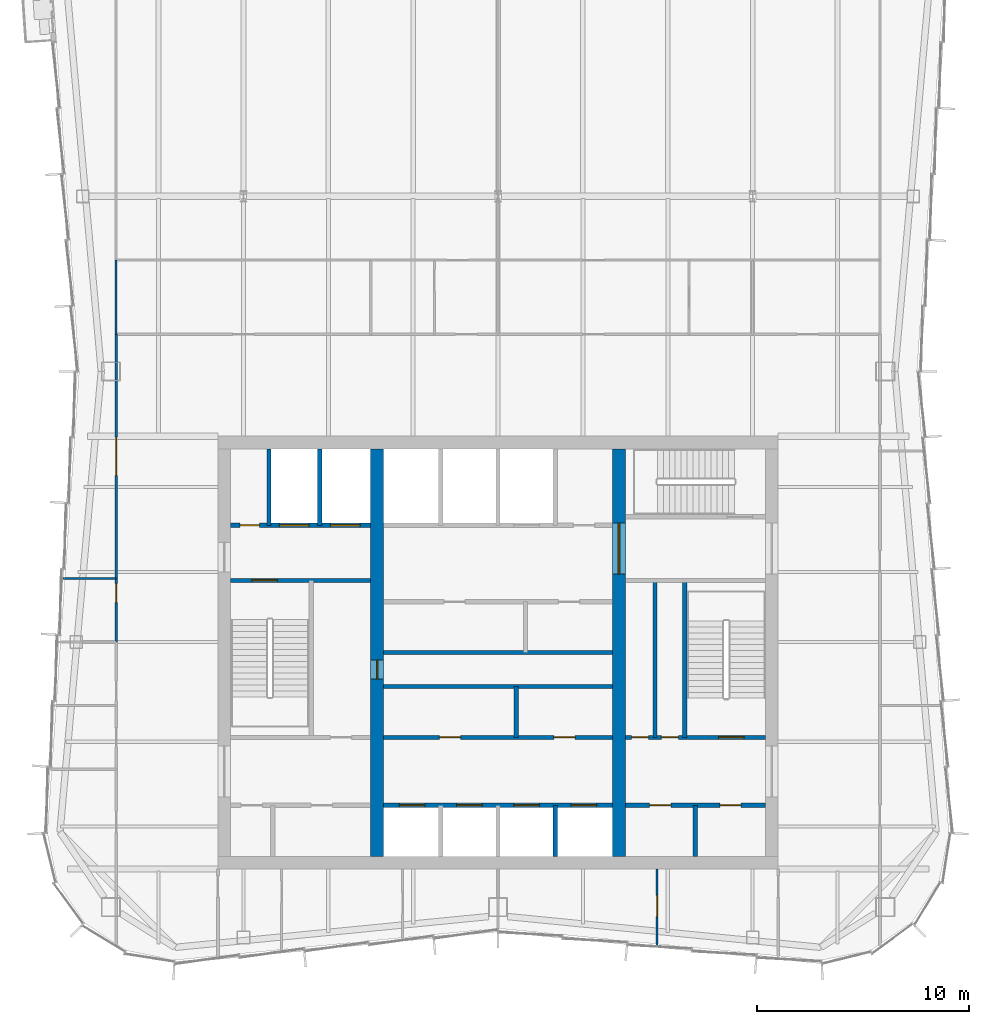
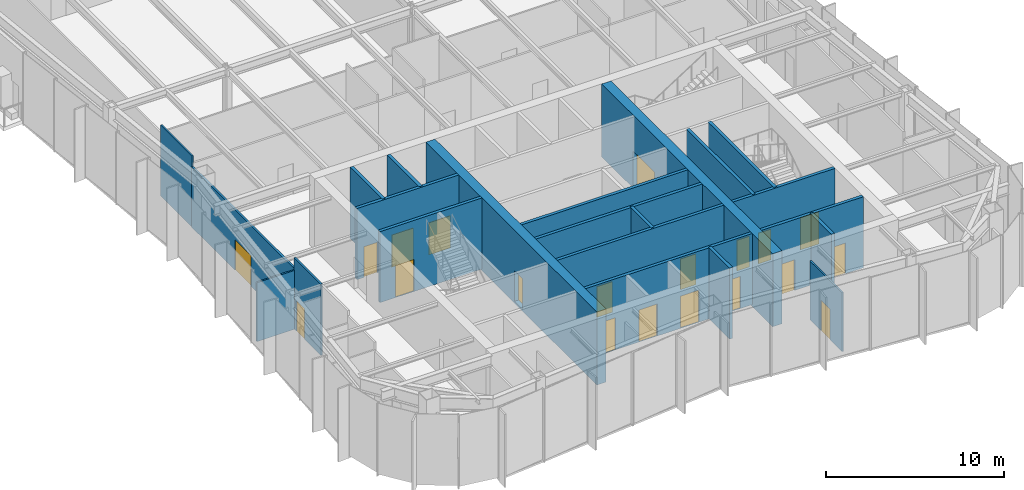
# One storey, part 10 of 14: 22 walls, 20 doors, 20 openings.
"""IFC4 building model written with IfcOpenShell, lengths in metres."""

from ifc_helpers import new_model, si_unit, direction, frame, frame_2d, origin, place, context, subcontext, project, spatial, rectangle, extrude, material, layer, layer_set, type_object, element, fill, save


model = new_model("IFC4")

# Units and contexts
model_context = context("Model", 3, precision=1e-05, world=origin(), true_north=direction((0.0, 1.0)))
body_context = subcontext(model_context, "Body", "Model", "MODEL_VIEW")
ifc_project = project(units=[si_unit("LENGTHUNIT", "METRE"), si_unit("AREAUNIT", "SQUARE_METRE"), si_unit("VOLUMEUNIT", "CUBIC_METRE"), si_unit("PLANEANGLEUNIT", "RADIAN"), si_unit("MASSUNIT", "GRAM", prefix="KILO")], contexts=[model_context])

# Site, building, storey
site_placement = place(None, origin())
site = spatial("IfcSite", under=ifc_project, at=site_placement, CompositionType="ELEMENT")
building_placement = place(site_placement, origin())
building = spatial("IfcBuilding", under=site, at=building_placement, Name="Verdant Reach Tower", CompositionType="ELEMENT")
storey_placement = place(building_placement, frame((0.0, 0.0, 289.0)))
storey = spatial("IfcBuildingStorey", under=building, at=storey_placement, Name="L66", CompositionType="ELEMENT", Elevation=289.0)

# Wall, openings, doors
ifc_material_1 = material(Name="Gypsum board on steel studs", Category="steel")
ifc_layer_1 = layer(ifc_material_1, 0.199951171875)
ifc_layer_set_1 = layer_set([ifc_layer_1], Name="CO-WALL-ROOM")
wall_type_1 = type_object("IfcWallType", Name="CO-WALL-ROOM", PredefinedType="PARTITIONING", material=ifc_layer_set_1)
wall_1_placement = place(storey_placement, frame((6.0, 20.800048828125, 0.0), z_axis=(0.0, 0.0, 1.0), x_axis=(1.0, 0.0, 0.0)))
wall_1 = element("IfcWall", 1, at=wall_1_placement, inside=storey, type_object=wall_type_1, Name="Core partition, L66", PredefinedType="PARTITIONING", context=body_context, shape_type="SweptSolid", body=[
    extrude(rectangle(XDim=6.60009765625, YDim=0.199951171875, at=frame_2d((3.300048828125, 0.0))), origin(), (0.0, 0.0, 1.0), 4.8701171875),
])
opening_1_placement = place(wall_1_placement, frame((1.14990234375, 0.0, 0.0)))
opening_1 = element("IfcOpeningElement", 2, at=opening_1_placement, cuts=wall_1, Name="Opening CD", PredefinedType="OPENING", context=body_context, shape_type="SweptSolid", body=[
    extrude(rectangle(XDim=1.0, YDim=2.10009765625, at=frame_2d((0.5, 1.050048828125))), frame((0.0, 0.10986328125, 0.0), z_axis=(0.0, -1.0, 0.0), x_axis=(1.0, 0.0, 0.0)), (0.0, 0.0, 1.0), 0.219970703125),
])
opening_2_placement = place(wall_1_placement, frame((4.449951171875, 0.0, 0.0)))
opening_2 = element("IfcOpeningElement", 3, at=opening_2_placement, cuts=wall_1, Name="Opening CD", PredefinedType="OPENING", context=body_context, shape_type="SweptSolid", body=[
    extrude(rectangle(XDim=1.0, YDim=2.10009765625, at=frame_2d((0.5, 1.050048828125))), frame((0.0, 0.10986328125, 0.0), z_axis=(0.0, -1.0, 0.0), x_axis=(1.0, 0.0, 0.0)), (0.0, 0.0, 1.0), 0.219970703125),
])
ifc_material_2 = material(Name="Timber", Category="wood")
door_type_1 = type_object("IfcDoorType", Name="CO-DOOR-ROOM", OperationType="NOTDEFINED", PredefinedType="DOOR", material=ifc_material_2)
door_1_placement = place(opening_1_placement, origin())
door_1 = element("IfcDoor", 4, at=door_1_placement, inside=storey, type_object=door_type_1, Name="Core room door, L66", OperationType="SINGLE_SWING_LEFT", OverallHeight=2.10009765625, OverallWidth=1.0, PredefinedType="DOOR", context=body_context, shape_type="SweptSolid", body=[
    extrude(rectangle(XDim=1.0, YDim=2.10009765625, at=frame_2d((0.5, 1.050048828125))), frame((0.0, 0.02490234375, 0.0), z_axis=(0.0, -1.0, 0.0), x_axis=(1.0, 0.0, 0.0)), (0.0, 0.0, 1.0), 0.050048828125),
])
fill(opening_1, door_1)
door_2_placement = place(opening_2_placement, origin())
door_2 = element("IfcDoor", 5, at=door_2_placement, inside=storey, type_object=door_type_1, Name="Core room door, L66", OperationType="SINGLE_SWING_LEFT", OverallHeight=2.10009765625, OverallWidth=1.0, PredefinedType="DOOR", context=body_context, shape_type="SweptSolid", body=[
    extrude(rectangle(XDim=1.0, YDim=2.10009765625, at=frame_2d((0.5, 1.050048828125))), frame((0.0, 0.02490234375, 0.0), z_axis=(0.0, -1.0, 0.0), x_axis=(1.0, 0.0, 0.0)), (0.0, 0.0, 1.0), 0.050048828125),
])
fill(opening_2, door_2)

wall_2_placement = place(storey_placement, frame((-5.39990234375, 24.0, 0.0), z_axis=(0.0, 0.0, 1.0), x_axis=(1.0, 0.0, 0.0)))
wall_2 = element("IfcWall", 6, at=wall_2_placement, inside=storey, type_object=wall_type_1, Name="Core partition, L66", PredefinedType="PARTITIONING", context=body_context, shape_type="SweptSolid", body=[
    extrude(rectangle(XDim=10.7998046875, YDim=0.199951171875, at=frame_2d((5.39990234375, 0.0))), origin(), (0.0, 0.0, 1.0), 4.8701171875),
])
opening_3_placement = place(wall_2_placement, frame((2.632080078125, 0.0, 0.0)))
opening_3 = element("IfcOpeningElement", 7, at=opening_3_placement, cuts=wall_2, Name="Opening CD", PredefinedType="OPENING", context=body_context, shape_type="SweptSolid", body=[
    extrude(rectangle(XDim=1.0, YDim=2.10009765625, at=frame_2d((0.5, 1.050048828125))), frame((0.0, 0.10986328125, 0.0), z_axis=(0.0, -1.0, 0.0), x_axis=(1.0, 0.0, 0.0)), (0.0, 0.0, 1.0), 0.219970703125),
])
opening_4_placement = place(wall_2_placement, frame((8.031982421875, 0.0, 0.0)))
opening_4 = element("IfcOpeningElement", 8, at=opening_4_placement, cuts=wall_2, Name="Opening CD", PredefinedType="OPENING", context=body_context, shape_type="SweptSolid", body=[
    extrude(rectangle(XDim=1.0, YDim=2.10009765625, at=frame_2d((0.5, 1.050048828125))), frame((0.0, 0.10986328125, 0.0), z_axis=(0.0, -1.0, 0.0), x_axis=(1.0, 0.0, 0.0)), (0.0, 0.0, 1.0), 0.219970703125),
])
door_3_placement = place(opening_3_placement, origin())
door_3 = element("IfcDoor", 9, at=door_3_placement, inside=storey, type_object=door_type_1, Name="Core room door, L66", OperationType="SINGLE_SWING_LEFT", OverallHeight=2.10009765625, OverallWidth=1.0, PredefinedType="DOOR", context=body_context, shape_type="SweptSolid", body=[
    extrude(rectangle(XDim=1.0, YDim=2.10009765625, at=frame_2d((0.5, 1.050048828125))), frame((0.0, 0.02490234375, 0.0), z_axis=(0.0, -1.0, 0.0), x_axis=(1.0, 0.0, 0.0)), (0.0, 0.0, 1.0), 0.050048828125),
])
fill(opening_3, door_3)
door_4_placement = place(opening_4_placement, origin())
door_4 = element("IfcDoor", 10, at=door_4_placement, inside=storey, type_object=door_type_1, Name="Core room door, L66", OperationType="SINGLE_SWING_RIGHT", OverallHeight=2.10009765625, OverallWidth=1.0, PredefinedType="DOOR", context=body_context, shape_type="SweptSolid", body=[
    extrude(rectangle(XDim=1.0, YDim=2.10009765625, at=frame_2d((0.5, 1.050048828125))), frame((0.0, 0.02490234375, 0.0), z_axis=(0.0, -1.0, 0.0), x_axis=(1.0, 0.0, 0.0)), (0.0, 0.0, 1.0), 0.050048828125),
])
fill(opening_4, door_4)

# Walls
for number, where, z_axis, x_axis, name in (
    (11, (-5.39990234375, 26.39990234375, 0.0), (0.0, 0.0, 1.0), (1.0, 0.0, 0.0), "Core partition, L66"),
    (12, (-5.39990234375, 28.0, 0.0), (0.0, 0.0, 1.0), (1.0, 0.0, 0.0), "Core partition, L66"),
):
    element("IfcWall", number, at=place(storey_placement, frame(where, z_axis=z_axis, x_axis=x_axis)), inside=storey, type_object=wall_type_1, Name=name, PredefinedType="PARTITIONING", context=body_context, shape_type="SweptSolid", body=[
        extrude(rectangle(XDim=10.7998046875, YDim=0.199951171875, at=frame_2d((5.39990234375, 0.0))), origin(), (0.0, 0.0, 1.0), 4.8701171875),
    ])
wall_3_placement = place(storey_placement, frame((0.864013671875, 24.0, 0.0), z_axis=(0.0, 0.0, 1.0), x_axis=(0.0, 1.0, 0.0)))
element("IfcWall", 13, at=wall_3_placement, inside=storey, type_object=wall_type_1, Name="Core partition, L66", PredefinedType="PARTITIONING", context=body_context, shape_type="SweptSolid", body=[
    extrude(rectangle(XDim=2.39990234375, YDim=0.199951171875, at=frame_2d((1.199951171875, 0.0))), origin(), (0.0, 0.0, 1.0), 4.8701171875),
])
wall_4_placement = place(storey_placement, frame((7.39990234375, 24.0, 0.0), z_axis=(0.0, 0.0, 1.0), x_axis=(0.0, 1.0, 0.0)))
element("IfcWall", 14, at=wall_4_placement, inside=storey, type_object=wall_type_1, Name="Core partition, L66", PredefinedType="PARTITIONING", context=body_context, shape_type="SweptSolid", body=[
    extrude(rectangle(XDim=7.39990234375, YDim=0.199951171875, at=frame_2d((3.699951171875, 0.0))), origin(), (0.0, 0.0, 1.0), 4.8701171875),
])
wall_5_placement = place(storey_placement, frame((9.300048828125, 18.39990234375, 0.0), z_axis=(0.0, 0.0, 1.0), x_axis=(0.0, 1.0, 0.0)))
element("IfcWall", 15, at=wall_5_placement, inside=storey, type_object=wall_type_1, Name="Core partition, L66", PredefinedType="PARTITIONING", context=body_context, shape_type="SweptSolid", body=[
    extrude(rectangle(XDim=2.400146484375, YDim=0.199951171875, at=frame_2d((1.2001953125, 0.0))), origin(), (0.0, 0.0, 1.0), 4.8701171875),
])

# Wall, openings, doors
ifc_material_3 = material(Name="Concrete C40/50", Category="concrete")
ifc_layer_2 = layer(ifc_material_3, 0.199951171875)
ifc_layer_set_2 = layer_set([ifc_layer_2], Name="CO-WALL-SHAFT")
wall_type_2 = type_object("IfcWallType", Name="CO-WALL-SHAFT", PredefinedType="PARTITIONING", material=ifc_layer_set_2)
wall_6_placement = place(storey_placement, frame((-5.39990234375, 20.800048828125, 0.0), z_axis=(0.0, 0.0, 1.0), x_axis=(1.0, 0.0, 0.0)))
wall_6 = element("IfcWall", 16, at=wall_6_placement, inside=storey, type_object=wall_type_2, Name="Lift shaft wall, L66", PredefinedType="PARTITIONING", context=body_context, shape_type="SweptSolid", body=[
    extrude(rectangle(XDim=10.7998046875, YDim=0.199951171875, at=frame_2d((5.39990234375, 0.0))), origin(), (0.0, 0.0, 1.0), 4.8701171875),
])
opening_5_placement = place(wall_6_placement, frame((0.75, 0.0, 0.0)))
opening_5 = element("IfcOpeningElement", 17, at=opening_5_placement, cuts=wall_6, Name="Opening LD-B1", PredefinedType="OPENING", context=body_context, shape_type="SweptSolid", body=[
    extrude(rectangle(XDim=1.199951171875, YDim=2.199951171875, at=frame_2d((0.60009765625, 1.10009765625))), frame((0.0, 0.10986328125, 0.0), z_axis=(0.0, -1.0, 0.0), x_axis=(1.0, 0.0, 0.0)), (0.0, 0.0, 1.0), 0.219970703125),
])
opening_6_placement = place(wall_6_placement, frame((3.449951171875, 0.0, 0.0)))
opening_6 = element("IfcOpeningElement", 18, at=opening_6_placement, cuts=wall_6, Name="Opening LD-B2", PredefinedType="OPENING", context=body_context, shape_type="SweptSolid", body=[
    extrude(rectangle(XDim=1.199951171875, YDim=2.199951171875, at=frame_2d((0.60009765625, 1.10009765625))), frame((0.0, 0.10986328125, 0.0), z_axis=(0.0, -1.0, 0.0), x_axis=(1.0, 0.0, 0.0)), (0.0, 0.0, 1.0), 0.219970703125),
])
opening_7_placement = place(wall_6_placement, frame((6.14990234375, 0.0, 0.0)))
opening_7 = element("IfcOpeningElement", 19, at=opening_7_placement, cuts=wall_6, Name="Opening LD-B3", PredefinedType="OPENING", context=body_context, shape_type="SweptSolid", body=[
    extrude(rectangle(XDim=1.199951171875, YDim=2.199951171875, at=frame_2d((0.60009765625, 1.10009765625))), frame((0.0, 0.10986328125, 0.0), z_axis=(0.0, -1.0, 0.0), x_axis=(1.0, 0.0, 0.0)), (0.0, 0.0, 1.0), 0.219970703125),
])
opening_8_placement = place(wall_6_placement, frame((8.85009765625, 0.0, 0.0)))
opening_8 = element("IfcOpeningElement", 20, at=opening_8_placement, cuts=wall_6, Name="Opening LD-B4", PredefinedType="OPENING", context=body_context, shape_type="SweptSolid", body=[
    extrude(rectangle(XDim=1.199951171875, YDim=2.199951171875, at=frame_2d((0.60009765625, 1.10009765625))), frame((0.0, 0.10986328125, 0.0), z_axis=(0.0, -1.0, 0.0), x_axis=(1.0, 0.0, 0.0)), (0.0, 0.0, 1.0), 0.219970703125),
])
ifc_material_4 = material(Name="Stainless steel", Category="steel")
door_type_2 = type_object("IfcDoorType", Name="CO-DOOR-LANDING", OperationType="SLIDING_TO_LEFT", PredefinedType="DOOR", material=ifc_material_4)
door_5_placement = place(opening_5_placement, origin())
door_5 = element("IfcDoor", 21, at=door_5_placement, inside=storey, type_object=door_type_2, Name="Landing door B1, L66", OperationType="SLIDING_TO_LEFT", OverallHeight=2.199951171875, OverallWidth=1.199951171875, PredefinedType="DOOR", context=body_context, shape_type="SweptSolid", body=[
    extrude(rectangle(XDim=1.199951171875, YDim=2.199951171875, at=frame_2d((0.60009765625, 1.10009765625))), frame((0.0, 0.02490234375, 0.0), z_axis=(0.0, -1.0, 0.0), x_axis=(1.0, 0.0, 0.0)), (0.0, 0.0, 1.0), 0.050048828125),
])
fill(opening_5, door_5)
door_6_placement = place(opening_6_placement, origin())
door_6 = element("IfcDoor", 22, at=door_6_placement, inside=storey, type_object=door_type_2, Name="Landing door B2, L66", OperationType="SLIDING_TO_LEFT", OverallHeight=2.199951171875, OverallWidth=1.199951171875, PredefinedType="DOOR", context=body_context, shape_type="SweptSolid", body=[
    extrude(rectangle(XDim=1.199951171875, YDim=2.199951171875, at=frame_2d((0.60009765625, 1.10009765625))), frame((0.0, 0.02490234375, 0.0), z_axis=(0.0, -1.0, 0.0), x_axis=(1.0, 0.0, 0.0)), (0.0, 0.0, 1.0), 0.050048828125),
])
fill(opening_6, door_6)
door_7_placement = place(opening_7_placement, origin())
door_7 = element("IfcDoor", 23, at=door_7_placement, inside=storey, type_object=door_type_2, Name="Landing door B3, L66", OperationType="SLIDING_TO_LEFT", OverallHeight=2.199951171875, OverallWidth=1.199951171875, PredefinedType="DOOR", context=body_context, shape_type="SweptSolid", body=[
    extrude(rectangle(XDim=1.199951171875, YDim=2.199951171875, at=frame_2d((0.60009765625, 1.10009765625))), frame((0.0, 0.02490234375, 0.0), z_axis=(0.0, -1.0, 0.0), x_axis=(1.0, 0.0, 0.0)), (0.0, 0.0, 1.0), 0.050048828125),
])
fill(opening_7, door_7)
door_8_placement = place(opening_8_placement, origin())
door_8 = element("IfcDoor", 24, at=door_8_placement, inside=storey, type_object=door_type_2, Name="Landing door B4, L66", OperationType="SLIDING_TO_LEFT", OverallHeight=2.199951171875, OverallWidth=1.199951171875, PredefinedType="DOOR", context=body_context, shape_type="SweptSolid", body=[
    extrude(rectangle(XDim=1.199951171875, YDim=2.199951171875, at=frame_2d((0.60009765625, 1.10009765625))), frame((0.0, 0.02490234375, 0.0), z_axis=(0.0, -1.0, 0.0), x_axis=(1.0, 0.0, 0.0)), (0.0, 0.0, 1.0), 0.050048828125),
])
fill(opening_8, door_8)

wall_7_placement = place(storey_placement, frame((-12.60009765625, 34.0, 0.0), z_axis=(0.0, 0.0, 1.0), x_axis=(1.0, 0.0, 0.0)))
wall_7 = element("IfcWall", 25, at=wall_7_placement, inside=storey, type_object=wall_type_2, Name="Lift shaft wall, L66", PredefinedType="PARTITIONING", context=body_context, shape_type="SweptSolid", body=[
    extrude(rectangle(XDim=6.60009765625, YDim=0.199951171875, at=frame_2d((3.300048828125, 0.0))), origin(), (0.0, 0.0, 1.0), 4.8701171875),
])
opening_9_placement = place(wall_7_placement, frame((4.699951171875, 0.0, 0.0)))
opening_9 = element("IfcOpeningElement", 26, at=opening_9_placement, cuts=wall_7, Name="Opening LD-F1", PredefinedType="OPENING", context=body_context, shape_type="SweptSolid", body=[
    extrude(rectangle(XDim=1.39990234375, YDim=2.199951171875, at=frame_2d((0.699951171875, 1.10009765625))), frame((0.0, 0.10986328125, 0.0), z_axis=(0.0, -1.0, 0.0), x_axis=(1.0, 0.0, 0.0)), (0.0, 0.0, 1.0), 0.219970703125),
])
opening_10_placement = place(wall_7_placement, frame((2.300048828125, 0.0, 0.0)))
opening_10 = element("IfcOpeningElement", 27, at=opening_10_placement, cuts=wall_7, Name="Opening LD-F2", PredefinedType="OPENING", context=body_context, shape_type="SweptSolid", body=[
    extrude(rectangle(XDim=1.39990234375, YDim=2.199951171875, at=frame_2d((0.699951171875, 1.10009765625))), frame((0.0, 0.10986328125, 0.0), z_axis=(0.0, -1.0, 0.0), x_axis=(1.0, 0.0, 0.0)), (0.0, 0.0, 1.0), 0.219970703125),
])
opening_11_placement = place(wall_7_placement, frame((0.449951171875, 0.0, 0.0)))
opening_11 = element("IfcOpeningElement", 28, at=opening_11_placement, cuts=wall_7, Name="Opening RD", PredefinedType="OPENING", context=body_context, shape_type="SweptSolid", body=[
    extrude(rectangle(XDim=0.89990234375, YDim=2.10009765625, at=frame_2d((0.449951171875, 1.050048828125))), frame((0.0, 0.10986328125, 0.0), z_axis=(0.0, -1.0, 0.0), x_axis=(1.0, 0.0, 0.0)), (0.0, 0.0, 1.0), 0.219970703125),
])
door_type_3 = type_object("IfcDoorType", Name="CO-DOOR-LANDING-FF", OperationType="SLIDING_TO_LEFT", PredefinedType="DOOR", material=ifc_material_4)
door_9_placement = place(opening_9_placement, origin())
door_9 = element("IfcDoor", 29, at=door_9_placement, inside=storey, type_object=door_type_3, Name="Landing door F1, L66", OperationType="SLIDING_TO_LEFT", OverallHeight=2.199951171875, OverallWidth=1.39990234375, PredefinedType="DOOR", context=body_context, shape_type="SweptSolid", body=[
    extrude(rectangle(XDim=1.39990234375, YDim=2.199951171875, at=frame_2d((0.699951171875, 1.10009765625))), frame((0.0, 0.02490234375, 0.0), z_axis=(0.0, -1.0, 0.0), x_axis=(1.0, 0.0, 0.0)), (0.0, 0.0, 1.0), 0.050048828125),
])
fill(opening_9, door_9)
door_10_placement = place(opening_10_placement, origin())
door_10 = element("IfcDoor", 30, at=door_10_placement, inside=storey, type_object=door_type_3, Name="Landing door F2, L66", OperationType="SLIDING_TO_LEFT", OverallHeight=2.199951171875, OverallWidth=1.39990234375, PredefinedType="DOOR", context=body_context, shape_type="SweptSolid", body=[
    extrude(rectangle(XDim=1.39990234375, YDim=2.199951171875, at=frame_2d((0.699951171875, 1.10009765625))), frame((0.0, 0.02490234375, 0.0), z_axis=(0.0, -1.0, 0.0), x_axis=(1.0, 0.0, 0.0)), (0.0, 0.0, 1.0), 0.050048828125),
])
fill(opening_10, door_10)
ifc_material_5 = material(Name="Steel", Category="steel")
door_type_4 = type_object("IfcDoorType", Name="CO-DOOR-RISER", OperationType="NOTDEFINED", PredefinedType="DOOR", material=ifc_material_5)
door_11_placement = place(opening_11_placement, origin())
door_11 = element("IfcDoor", 31, at=door_11_placement, inside=storey, type_object=door_type_4, Name="Core room door, L66", OperationType="SINGLE_SWING_RIGHT", OverallHeight=2.10009765625, OverallWidth=0.89990234375, PredefinedType="DOOR", context=body_context, shape_type="SweptSolid", body=[
    extrude(rectangle(XDim=0.89990234375, YDim=2.10009765625, at=frame_2d((0.449951171875, 1.050048828125))), frame((0.0, 0.02490234375, 0.0), z_axis=(0.0, -1.0, 0.0), x_axis=(1.0, 0.0, 0.0)), (0.0, 0.0, 1.0), 0.050048828125),
])
fill(opening_11, door_11)

# Walls
for number, where, z_axis, x_axis, name in (
    (32, (-10.800048828125, 34.0, 0.0), (0.0, 0.0, 1.0), (0.0, 1.0, 0.0), "Lift shaft wall, L66"),
    (33, (-8.39990234375, 34.0, 0.0), (0.0, 0.0, 1.0), (0.0, 1.0, 0.0), "Lift shaft wall, L66"),
):
    element("IfcWall", number, at=place(storey_placement, frame(where, z_axis=z_axis, x_axis=x_axis)), inside=storey, type_object=wall_type_2, Name=name, PredefinedType="PARTITIONING", context=body_context, shape_type="SweptSolid", body=[
        extrude(rectangle(XDim=3.60009765625, YDim=0.199951171875, at=frame_2d((1.800048828125, 0.0))), origin(), (0.0, 0.0, 1.0), 4.8701171875),
    ])
wall_8_placement = place(storey_placement, frame((2.699951171875, 18.39990234375, 0.0), z_axis=(0.0, 0.0, 1.0), x_axis=(0.0, 1.0, 0.0)))
element("IfcWall", 34, at=wall_8_placement, inside=storey, type_object=wall_type_2, Name="Lift shaft wall, L66", PredefinedType="PARTITIONING", context=body_context, shape_type="SweptSolid", body=[
    extrude(rectangle(XDim=2.400146484375, YDim=0.199951171875, at=frame_2d((1.2001953125, 0.0))), origin(), (0.0, 0.0, 1.0), 4.8701171875),
])

# Wall, openings, doors
ifc_layer_3 = layer(ifc_material_3, 0.199951171875)
ifc_layer_set_3 = layer_set([ifc_layer_3], Name="CO-WALL-STAIR")
wall_type_3 = type_object("IfcWallType", Name="CO-WALL-STAIR", PredefinedType="PARTITIONING", material=ifc_layer_set_3)
wall_9_placement = place(storey_placement, frame((6.0, 24.0, 0.0), z_axis=(0.0, 0.0, 1.0), x_axis=(1.0, 0.0, 0.0)))
wall_9 = element("IfcWall", 35, at=wall_9_placement, inside=storey, type_object=wall_type_3, Name="Stair enclosure wall, L66", PredefinedType="PARTITIONING", context=body_context, shape_type="SweptSolid", body=[
    extrude(rectangle(XDim=6.60009765625, YDim=0.199951171875, at=frame_2d((3.300048828125, 0.0))), origin(), (0.0, 0.0, 1.0), 4.8701171875),
])
opening_12_placement = place(wall_9_placement, frame((0.300048828125, 0.0, 0.0)))
opening_12 = element("IfcOpeningElement", 36, at=opening_12_placement, cuts=wall_9, Name="Opening CDN", PredefinedType="OPENING", context=body_context, shape_type="SweptSolid", body=[
    extrude(rectangle(XDim=0.800048828125, YDim=2.10009765625, at=frame_2d((0.39990234375, 1.050048828125))), frame((0.0, 0.10986328125, 0.0), z_axis=(0.0, -1.0, 0.0), x_axis=(1.0, 0.0, 0.0)), (0.0, 0.0, 1.0), 0.219970703125),
])
opening_13_placement = place(wall_9_placement, frame((1.699951171875, 0.0, 0.0)))
opening_13 = element("IfcOpeningElement", 37, at=opening_13_placement, cuts=wall_9, Name="Opening CDN", PredefinedType="OPENING", context=body_context, shape_type="SweptSolid", body=[
    extrude(rectangle(XDim=0.800048828125, YDim=2.10009765625, at=frame_2d((0.39990234375, 1.050048828125))), frame((0.0, 0.10986328125, 0.0), z_axis=(0.0, -1.0, 0.0), x_axis=(1.0, 0.0, 0.0)), (0.0, 0.0, 1.0), 0.219970703125),
])
opening_14_placement = place(wall_9_placement, frame((4.39990234375, 0.0, 0.0)))
opening_14 = element("IfcOpeningElement", 38, at=opening_14_placement, cuts=wall_9, Name="Opening SD", PredefinedType="OPENING", context=body_context, shape_type="SweptSolid", body=[
    extrude(rectangle(XDim=1.199951171875, YDim=2.199951171875, at=frame_2d((0.60009765625, 1.10009765625))), frame((0.0, 0.10986328125, 0.0), z_axis=(0.0, -1.0, 0.0), x_axis=(1.0, 0.0, 0.0)), (0.0, 0.0, 1.0), 0.219970703125),
])
door_type_5 = type_object("IfcDoorType", Name="CO-DOOR-ROOM-NARROW", OperationType="NOTDEFINED", PredefinedType="DOOR", material=ifc_material_2)
door_12_placement = place(opening_12_placement, origin())
door_12 = element("IfcDoor", 39, at=door_12_placement, inside=storey, type_object=door_type_5, Name="Core room door, L66", OperationType="SINGLE_SWING_RIGHT", OverallHeight=2.10009765625, OverallWidth=0.800048828125, PredefinedType="DOOR", context=body_context, shape_type="SweptSolid", body=[
    extrude(rectangle(XDim=0.800048828125, YDim=2.10009765625, at=frame_2d((0.39990234375, 1.050048828125))), frame((0.0, 0.02490234375, 0.0), z_axis=(0.0, -1.0, 0.0), x_axis=(1.0, 0.0, 0.0)), (0.0, 0.0, 1.0), 0.050048828125),
])
fill(opening_12, door_12)
door_13_placement = place(opening_13_placement, origin())
door_13 = element("IfcDoor", 40, at=door_13_placement, inside=storey, type_object=door_type_5, Name="Core room door, L66", OperationType="SINGLE_SWING_LEFT", OverallHeight=2.10009765625, OverallWidth=0.800048828125, PredefinedType="DOOR", context=body_context, shape_type="SweptSolid", body=[
    extrude(rectangle(XDim=0.800048828125, YDim=2.10009765625, at=frame_2d((0.39990234375, 1.050048828125))), frame((0.0, 0.02490234375, 0.0), z_axis=(0.0, -1.0, 0.0), x_axis=(1.0, 0.0, 0.0)), (0.0, 0.0, 1.0), 0.050048828125),
])
fill(opening_13, door_13)
door_type_6 = type_object("IfcDoorType", Name="CO-DOOR-STAIR", OperationType="NOTDEFINED", PredefinedType="DOOR", material=ifc_material_5)
door_14_placement = place(opening_14_placement, origin())
door_14 = element("IfcDoor", 41, at=door_14_placement, inside=storey, type_object=door_type_6, Name="Stair door, L66", OperationType="SINGLE_SWING_RIGHT", OverallHeight=2.199951171875, OverallWidth=1.199951171875, PredefinedType="DOOR", context=body_context, shape_type="SweptSolid", body=[
    extrude(rectangle(XDim=1.199951171875, YDim=2.199951171875, at=frame_2d((0.60009765625, 1.10009765625))), frame((0.0, 0.02490234375, 0.0), z_axis=(0.0, -1.0, 0.0), x_axis=(1.0, 0.0, 0.0)), (0.0, 0.0, 1.0), 0.050048828125),
])
fill(opening_14, door_14)

# Wall, opening, door
wall_10_placement = place(storey_placement, frame((-12.60009765625, 31.39990234375, 0.0), z_axis=(0.0, 0.0, 1.0), x_axis=(1.0, 0.0, 0.0)))
wall_10 = element("IfcWall", 42, at=wall_10_placement, inside=storey, type_object=wall_type_3, Name="Stair enclosure wall, L66", PredefinedType="PARTITIONING", context=body_context, shape_type="SweptSolid", body=[
    extrude(rectangle(XDim=6.60009765625, YDim=0.199951171875, at=frame_2d((3.300048828125, 0.0))), origin(), (0.0, 0.0, 1.0), 4.8701171875),
])
opening_15_placement = place(wall_10_placement, frame((1.0, 0.0, 0.0)))
opening_15 = element("IfcOpeningElement", 43, at=opening_15_placement, cuts=wall_10, Name="Opening SD", PredefinedType="OPENING", context=body_context, shape_type="SweptSolid", body=[
    extrude(rectangle(XDim=1.199951171875, YDim=2.199951171875, at=frame_2d((0.60009765625, 1.10009765625))), frame((0.0, 0.10986328125, 0.0), z_axis=(0.0, -1.0, 0.0), x_axis=(1.0, 0.0, 0.0)), (0.0, 0.0, 1.0), 0.219970703125),
])
door_15_placement = place(opening_15_placement, origin())
door_15 = element("IfcDoor", 44, at=door_15_placement, inside=storey, type_object=door_type_6, Name="Stair door, L66", OperationType="SINGLE_SWING_LEFT", OverallHeight=2.199951171875, OverallWidth=1.199951171875, PredefinedType="DOOR", context=body_context, shape_type="SweptSolid", body=[
    extrude(rectangle(XDim=1.199951171875, YDim=2.199951171875, at=frame_2d((0.60009765625, 1.10009765625))), frame((0.0, 0.02490234375, 0.0), z_axis=(0.0, -1.0, 0.0), x_axis=(1.0, 0.0, 0.0)), (0.0, 0.0, 1.0), 0.050048828125),
])
fill(opening_15, door_15)

# Walls
wall_11_placement = place(storey_placement, frame((8.800048828125, 24.0, 0.0), z_axis=(0.0, 0.0, 1.0), x_axis=(0.0, 1.0, 0.0)))
element("IfcWall", 45, at=wall_11_placement, inside=storey, type_object=wall_type_3, Name="Stair enclosure wall, L66", PredefinedType="PARTITIONING", context=body_context, shape_type="SweptSolid", body=[
    extrude(rectangle(XDim=7.39990234375, YDim=0.199951171875, at=frame_2d((3.699951171875, 0.0))), origin(), (0.0, 0.0, 1.0), 4.8701171875),
])
ifc_layer_4 = layer(ifc_material_1, 0.10009765625)
ifc_layer_set_4 = layer_set([ifc_layer_4], Name="FL-W1 Partition 100")
wall_type_4 = type_object("IfcWallType", Name="FL-W1 Partition 100", PredefinedType="PARTITIONING", material=ifc_layer_set_4)
wall_12_placement = place(storey_placement, frame((-18.0, 31.5, 0.0), z_axis=(0.0, 0.0, 1.0), x_axis=(-1.0, 0.0, 0.0)))
element("IfcWall", 46, at=wall_12_placement, inside=storey, type_object=wall_type_4, Name="Partition 66.20", PredefinedType="PARTITIONING", context=body_context, shape_type="SweptSolid", body=[
    extrude(rectangle(XDim=2.50244140625, YDim=0.10009765625, at=frame_2d((1.251220703125, 0.0))), origin(), (0.0, 0.0, 1.0), 4.0400390625),
])
wall_13_placement = place(storey_placement, frame((-18.0, 43.0, 0.0), z_axis=(0.0, 0.0, 1.0), x_axis=(0.0, 1.0, 0.0)))
element("IfcWall", 47, at=wall_13_placement, inside=storey, type_object=wall_type_4, Name="Partition 66.21", PredefinedType="PARTITIONING", context=body_context, shape_type="SweptSolid", body=[
    extrude(rectangle(XDim=3.5, YDim=0.10009765625, at=frame_2d((1.75, 0.0))), origin(), (0.0, 0.0, 1.0), 4.8701171875),
])

# Wall, opening, door
wall_14_placement = place(storey_placement, frame((7.5, 14.182373046875, 0.0), z_axis=(0.0, 0.0, 1.0), x_axis=(0.0, 1.0, 0.0)))
wall_14 = element("IfcWall", 48, at=wall_14_placement, inside=storey, type_object=wall_type_4, Name="Partition 66.32", PredefinedType="PARTITIONING", context=body_context, shape_type="SweptSolid", body=[
    extrude(rectangle(XDim=3.61767578125, YDim=0.10009765625, at=frame_2d((1.808837890625, 0.0))), origin(), (0.0, 0.0, 1.0), 4.0400390625),
])
opening_16_placement = place(wall_14_placement, frame((1.3740234375, 0.0, 0.0)))
opening_16 = element("IfcOpeningElement", 49, at=opening_16_placement, cuts=wall_14, Name="Opening D3", PredefinedType="OPENING", context=body_context, shape_type="SweptSolid", body=[
    extrude(rectangle(XDim=1.0, YDim=2.10009765625, at=frame_2d((0.5, 1.050048828125))), frame((0.0, 0.06005859375, 0.0), z_axis=(0.0, -1.0, 0.0), x_axis=(1.0, 0.0, 0.0)), (0.0, 0.0, 1.0), 0.1201171875),
])
ifc_material_6 = material(Name="Painted timber door leaf", Category="wood")
door_type_7 = type_object("IfcDoorType", Name="FL-D3 Door 1000x2100", OperationType="NOTDEFINED", PredefinedType="DOOR", material=ifc_material_6)
door_16_placement = place(opening_16_placement, origin())
door_16 = element("IfcDoor", 50, at=door_16_placement, inside=storey, type_object=door_type_7, Name="Door 66-017", OperationType="SINGLE_SWING_RIGHT", OverallHeight=2.10009765625, OverallWidth=1.0, PredefinedType="DOOR", context=body_context, shape_type="SweptSolid", body=[
    extrude(rectangle(XDim=1.0, YDim=2.10009765625, at=frame_2d((0.5, 1.050048828125))), frame((0.0, 0.02490234375, 0.0), z_axis=(0.0, -1.0, 0.0), x_axis=(1.0, 0.0, 0.0)), (0.0, 0.0, 1.0), 0.050048828125),
])
fill(opening_16, door_16)

ifc_material_7 = material(Name="Gypsum board on steel studs, fire rated", Category="steel")
ifc_layer_5 = layer(ifc_material_7, 0.125)
ifc_layer_set_5 = layer_set([ifc_layer_5], Name="FL-W2 Corridor wall 125")
wall_type_5 = type_object("IfcWallType", Name="FL-W2 Corridor wall 125", PredefinedType="PARTITIONING", material=ifc_layer_set_5)
wall_15_placement = place(storey_placement, frame((-18.0, 28.5, 0.0), z_axis=(0.0, 0.0, 1.0), x_axis=(0.0, 1.0, 0.0)))
wall_15 = element("IfcWall", 51, at=wall_15_placement, inside=storey, type_object=wall_type_5, Name="Partition 66.04", PredefinedType="PARTITIONING", context=body_context, shape_type="SweptSolid", body=[
    extrude(rectangle(XDim=3.0, YDim=0.125, at=frame_2d((1.5, 0.0))), origin(), (0.0, 0.0, 1.0), 4.8701171875),
])
opening_17_placement = place(wall_15_placement, frame((1.85009765625, 0.0, 0.0)))
opening_17 = element("IfcOpeningElement", 52, at=opening_17_placement, cuts=wall_15, Name="Opening D1", PredefinedType="OPENING", context=body_context, shape_type="SweptSolid", body=[
    extrude(rectangle(XDim=0.89990234375, YDim=2.10009765625, at=frame_2d((0.449951171875, 1.050048828125))), frame((0.0, 0.072509765625, 0.0), z_axis=(0.0, -1.0, 0.0), x_axis=(1.0, 0.0, 0.0)), (0.0, 0.0, 1.0), 0.14501953125),
])
door_type_8 = type_object("IfcDoorType", Name="FL-D1 Door 900x2100", OperationType="NOTDEFINED", PredefinedType="DOOR", material=ifc_material_6)
door_17_placement = place(opening_17_placement, origin())
door_17 = element("IfcDoor", 53, at=door_17_placement, inside=storey, type_object=door_type_8, Name="Door 66-004", OperationType="SINGLE_SWING_RIGHT", OverallHeight=2.10009765625, OverallWidth=0.89990234375, PredefinedType="DOOR", context=body_context, shape_type="SweptSolid", body=[
    extrude(rectangle(XDim=0.89990234375, YDim=2.10009765625, at=frame_2d((0.449951171875, 1.050048828125))), frame((0.0, 0.02490234375, 0.0), z_axis=(0.0, -1.0, 0.0), x_axis=(1.0, 0.0, 0.0)), (0.0, 0.0, 1.0), 0.050048828125),
])
fill(opening_17, door_17)

wall_16_placement = place(storey_placement, frame((-18.0, 43.00390625, 0.0), z_axis=(0.0, 0.0, 1.0), x_axis=(0.0, -1.0, 0.0)))
wall_16 = element("IfcWall", 54, at=wall_16_placement, inside=storey, type_object=wall_type_5, Name="Partition 66.05", PredefinedType="PARTITIONING", context=body_context, shape_type="SweptSolid", body=[
    extrude(rectangle(XDim=11.50390625, YDim=0.125, at=frame_2d((5.751953125, 0.0))), origin(), (0.0, 0.0, 1.0), 4.139892578125),
])
opening_18_placement = place(wall_16_placement, frame((4.85205078125, 0.0, 0.0)))
opening_18 = element("IfcOpeningElement", 55, at=opening_18_placement, cuts=wall_16, Name="Opening D4", PredefinedType="OPENING", context=body_context, shape_type="SweptSolid", body=[
    extrude(rectangle(XDim=1.800048828125, YDim=2.10009765625, at=frame_2d((0.89990234375, 1.050048828125))), frame((0.0, 0.072509765625, 0.0), z_axis=(0.0, -1.0, 0.0), x_axis=(1.0, 0.0, 0.0)), (0.0, 0.0, 1.0), 0.14501953125),
])
ifc_material_8 = material(Name="Timber door leaves, fire rated", Category="wood")
door_type_9 = type_object("IfcDoorType", Name="FL-D4 Double door 1800x2100 FD30", OperationType="DOUBLE_DOOR_SINGLE_SWING", PredefinedType="DOOR", material=ifc_material_8)
door_18_placement = place(opening_18_placement, origin())
door_18 = element("IfcDoor", 56, at=door_18_placement, inside=storey, type_object=door_type_9, Name="Door 66-005", OperationType="DOUBLE_DOOR_SINGLE_SWING", OverallHeight=2.10009765625, OverallWidth=1.800048828125, PredefinedType="DOOR", context=body_context, shape_type="SweptSolid", body=[
    extrude(rectangle(XDim=1.800048828125, YDim=2.10009765625, at=frame_2d((0.89990234375, 1.050048828125))), frame((0.0, 0.02490234375, 0.0), z_axis=(0.0, -1.0, 0.0), x_axis=(1.0, 0.0, 0.0)), (0.0, 0.0, 1.0), 0.050048828125),
])
fill(opening_18, door_18)

ifc_material_9 = material(Name="Concrete C70/85", Category="concrete")
ifc_layer_6 = layer(ifc_material_9, 0.60009765625)
ifc_layer_set_6 = layer_set([ifc_layer_6], Name="ST-CORE-WALL-600")
wall_type_6 = type_object("IfcWallType", Name="ST-CORE-WALL-600", PredefinedType="SHEAR", material=ifc_layer_set_6)
wall_17_placement = place(storey_placement, frame((-5.699951171875, 18.39990234375, -0.1298828125), z_axis=(0.0, 0.0, 1.0), x_axis=(0.0, 1.0, 0.0)))
wall_17 = element("IfcWall", 57, at=wall_17_placement, inside=storey, type_object=wall_type_6, Name="Core wall XW, L66", PredefinedType="SHEAR", context=body_context, shape_type="SweptSolid", body=[
    extrude(rectangle(XDim=19.2001953125, YDim=0.60009765625, at=frame_2d((9.60009765625, 0.0))), origin(), (0.0, 0.0, 1.0), 5.0),
])
opening_19_placement = place(wall_17_placement, frame((8.35009765625, 0.0, 0.1298828125)))
opening_19 = element("IfcOpeningElement", 58, at=opening_19_placement, cuts=wall_17, Name="Opening RD", PredefinedType="OPENING", context=body_context, shape_type="SweptSolid", body=[
    extrude(rectangle(XDim=0.89990234375, YDim=2.10009765625, at=frame_2d((0.449951171875, 1.050048828125))), frame((0.0, 0.31005859375, 0.0), z_axis=(0.0, -1.0, 0.0), x_axis=(1.0, 0.0, 0.0)), (0.0, 0.0, 1.0), 0.6201171875),
])
door_19_placement = place(opening_19_placement, origin())
door_19 = element("IfcDoor", 59, at=door_19_placement, inside=storey, type_object=door_type_4, Name="Riser door, L66", OperationType="SINGLE_SWING_LEFT", OverallHeight=2.10009765625, OverallWidth=0.89990234375, PredefinedType="DOOR", context=body_context, shape_type="SweptSolid", body=[
    extrude(rectangle(XDim=0.89990234375, YDim=2.10009765625, at=frame_2d((0.449951171875, 1.050048828125))), frame((0.0, 0.02490234375, 0.0), z_axis=(0.0, -1.0, 0.0), x_axis=(1.0, 0.0, 0.0)), (0.0, 0.0, 1.0), 0.050048828125),
])
fill(opening_19, door_19)

wall_18_placement = place(storey_placement, frame((5.699951171875, 18.39990234375, -0.1298828125), z_axis=(0.0, 0.0, 1.0), x_axis=(0.0, 1.0, 0.0)))
wall_18 = element("IfcWall", 60, at=wall_18_placement, inside=storey, type_object=wall_type_6, Name="Core wall XE, L66", PredefinedType="SHEAR", context=body_context, shape_type="SweptSolid", body=[
    extrude(rectangle(XDim=19.2001953125, YDim=0.60009765625, at=frame_2d((9.60009765625, 0.0))), origin(), (0.0, 0.0, 1.0), 5.0),
])
opening_20_placement = place(wall_18_placement, frame((13.300048828125, 0.0, 0.1298828125)))
opening_20 = element("IfcOpeningElement", 61, at=opening_20_placement, cuts=wall_18, Name="Opening LB", PredefinedType="OPENING", context=body_context, shape_type="SweptSolid", body=[
    extrude(rectangle(XDim=2.39990234375, YDim=2.39990234375, at=frame_2d((1.199951171875, 1.199951171875))), frame((0.0, 0.31005859375, 0.0), z_axis=(0.0, -1.0, 0.0), x_axis=(1.0, 0.0, 0.0)), (0.0, 0.0, 1.0), 0.6201171875),
])
ifc_material_10 = material(Name="Glass and steel", Category="steel")
door_type_10 = type_object("IfcDoorType", Name="CO-DOOR-LOBBY", OperationType="DOUBLE_DOOR_SINGLE_SWING", PredefinedType="DOOR", material=ifc_material_10)
door_20_placement = place(opening_20_placement, origin())
door_20 = element("IfcDoor", 62, at=door_20_placement, inside=storey, type_object=door_type_10, Name="Core entrance door, L66", OperationType="DOUBLE_DOOR_SINGLE_SWING", OverallHeight=2.39990234375, OverallWidth=2.39990234375, PredefinedType="DOOR", context=body_context, shape_type="SweptSolid", body=[
    extrude(rectangle(XDim=2.39990234375, YDim=2.39990234375, at=frame_2d((1.199951171875, 1.199951171875))), frame((0.0, 0.02490234375, 0.0), z_axis=(0.0, -1.0, 0.0), x_axis=(1.0, 0.0, 0.0)), (0.0, 0.0, 1.0), 0.050048828125),
])
fill(opening_20, door_20)

save(model, "model.ifc")
